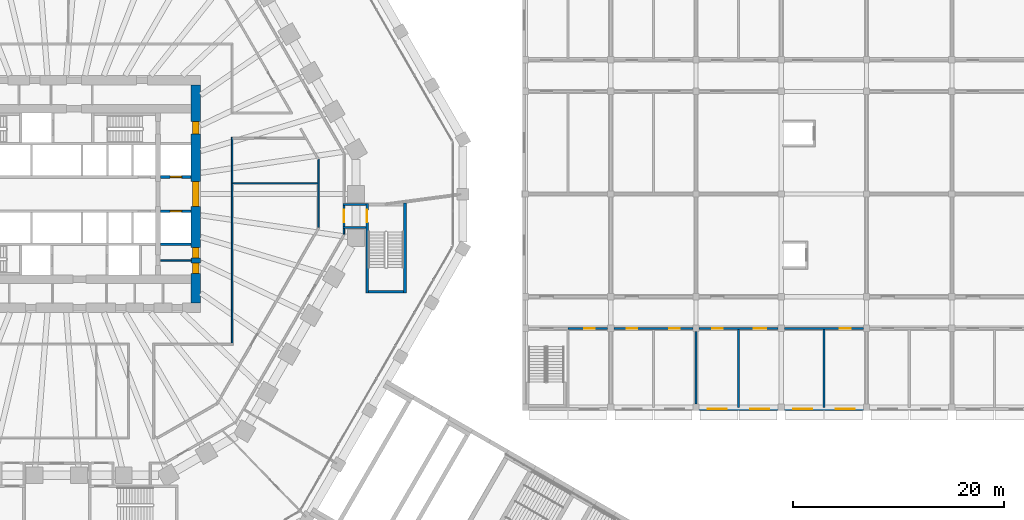
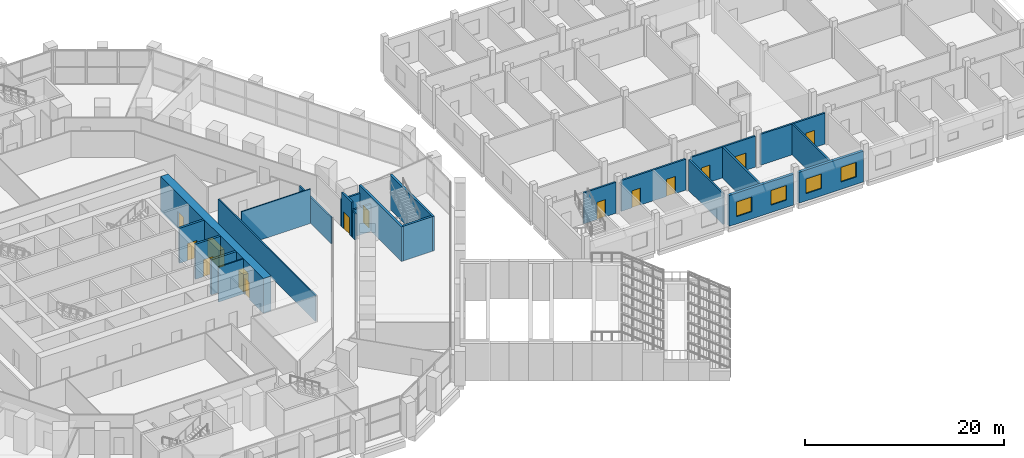
# One storey, part 23 of 38: 24 walls, 14 doors, 4 windows, 18 openings.
"""IFC4 building model written with IfcOpenShell, lengths in metres."""

from ifc_helpers import new_model, si_unit, direction, frame, frame_2d, origin, place, context, subcontext, project, spatial, rectangle, extrude, material, layer, layer_set, type_object, element, fill, save


model = new_model("IFC4")

# Units and contexts
model_context = context("Model", 3, precision=1e-05, world=origin(), true_north=direction((0.0, 1.0)))
body_context = subcontext(model_context, "Body", "Model", "MODEL_VIEW")
ifc_project = project(units=[si_unit("LENGTHUNIT", "METRE"), si_unit("AREAUNIT", "SQUARE_METRE"), si_unit("VOLUMEUNIT", "CUBIC_METRE"), si_unit("PLANEANGLEUNIT", "RADIAN"), si_unit("MASSUNIT", "GRAM", prefix="KILO")], contexts=[model_context])

# Site, building, storey
site_placement = place(None, origin())
site = spatial("IfcSite", under=ifc_project, at=site_placement, CompositionType="ELEMENT")
building_placement = place(site_placement, origin())
building = spatial("IfcBuilding", under=site, at=building_placement, Name="Frailejon Research Tower", CompositionType="ELEMENT")
storey_placement = place(building_placement, frame((0.0, 0.0, 5.60009765625)))
storey = spatial("IfcBuildingStorey", under=building, at=storey_placement, Name="L01", CompositionType="ELEMENT", Elevation=5.60009765625)

# Wall
ifc_material_1 = material(Name="Plasterboard on steel studs", Category="steel")
ifc_layer_1 = layer(ifc_material_1, 0.125)
ifc_layer_set_1 = layer_set([ifc_layer_1], Name="Core partition 125")
wall_type_1 = type_object("IfcWallType", Name="Core partition 125", PredefinedType="PARTITIONING", material=ifc_layer_set_1)
wall_1_placement = place(storey_placement, frame((9.85009765625, -6.300048828125, 0.0), z_axis=(0.0, 0.0, 1.0), x_axis=(1.0, 0.0, 0.0)))
element("IfcWall", 1, at=wall_1_placement, inside=storey, type_object=wall_type_1, Name="Core partition", PredefinedType="PARTITIONING", context=body_context, shape_type="SweptSolid", body=[
    extrude(rectangle(XDim=2.89990234375, YDim=0.125, at=frame_2d((1.449951171875, 0.0))), origin(), (0.0, 0.0, 1.0), 4.2998046875),
])

# Wall, openings, doors
ifc_material_2 = material(Name="Concrete C70/85", Category="concrete")
ifc_layer_2 = layer(ifc_material_2, 0.89990234375)
ifc_layer_set_2 = layer_set([ifc_layer_2], Name="Core shear wall 900 C70/85")
wall_type_2 = type_object("IfcWallType", Name="Core shear wall 900 C70/85", PredefinedType="SHEAR", material=ifc_layer_set_2)
wall_2_placement = place(storey_placement, frame((13.199951171875, -10.35009765625, 0.0), z_axis=(0.0, 0.0, 1.0), x_axis=(0.0, 1.0, 0.0)))
wall_2 = element("IfcWall", 2, at=wall_2_placement, inside=storey, type_object=wall_type_2, Name="Core shear wall", PredefinedType="SHEAR", context=body_context, shape_type="SweptSolid", body=[
    extrude(rectangle(XDim=20.7001953125, YDim=0.89990234375, at=frame_2d((10.35009765625, 0.0))), origin(), (0.0, 0.0, 1.0), 4.2998046875),
])
opening_1_placement = place(wall_2_placement, frame((9.14990234375, 0.0, 0.0)))
opening_1 = element("IfcOpeningElement", 3, at=opening_1_placement, cuts=wall_2, Name="Opening D2", PredefinedType="OPENING", context=body_context, shape_type="SweptSolid", body=[
    extrude(rectangle(XDim=2.39990234375, YDim=2.10009765625, at=frame_2d((1.199951171875, 1.050048828125))), frame((0.0, 0.4599609375, 0.0), z_axis=(0.0, -1.0, 0.0), x_axis=(1.0, 0.0, 0.0)), (0.0, 0.0, 1.0), 0.919921875),
])
opening_2_placement = place(wall_2_placement, frame((16.050048828125, 0.0, 0.0)))
opening_2 = element("IfcOpeningElement", 4, at=opening_2_placement, cuts=wall_2, Name="Opening D7", PredefinedType="OPENING", context=body_context, shape_type="SweptSolid", body=[
    extrude(rectangle(XDim=1.199951171875, YDim=2.10009765625, at=frame_2d((0.60009765625, 1.050048828125))), frame((0.0, 0.4599609375, 0.0), z_axis=(0.0, -1.0, 0.0), x_axis=(1.0, 0.0, 0.0)), (0.0, 0.0, 1.0), 0.919921875),
])
opening_3_placement = place(wall_2_placement, frame((2.81884765625, 0.0, 0.0)))
opening_3 = element("IfcOpeningElement", 5, at=opening_3_placement, cuts=wall_2, Name="Opening D4", PredefinedType="OPENING", context=body_context, shape_type="SweptSolid", body=[
    extrude(rectangle(XDim=1.0, YDim=2.10009765625, at=frame_2d((0.5, 1.050048828125))), frame((0.0, 0.4599609375, 0.0), z_axis=(0.0, -1.0, 0.0), x_axis=(1.0, 0.0, 0.0)), (0.0, 0.0, 1.0), 0.919921875),
])
opening_4_placement = place(wall_2_placement, frame((4.28125, 0.0, 0.0)))
opening_4 = element("IfcOpeningElement", 6, at=opening_4_placement, cuts=wall_2, Name="Opening D4", PredefinedType="OPENING", context=body_context, shape_type="SweptSolid", body=[
    extrude(rectangle(XDim=1.0, YDim=2.10009765625, at=frame_2d((0.5, 1.050048828125))), frame((0.0, 0.4599609375, 0.0), z_axis=(0.0, -1.0, 0.0), x_axis=(1.0, 0.0, 0.0)), (0.0, 0.0, 1.0), 0.919921875),
])
ifc_material_3 = material(Name="Steel", Category="steel")
door_type_1 = type_object("IfcDoorType", Name="Lobby double door", OperationType="DOUBLE_DOOR_SINGLE_SWING", PredefinedType="DOOR", material=ifc_material_3)
door_1_placement = place(opening_1_placement, origin())
door_1 = element("IfcDoor", 7, at=door_1_placement, inside=storey, type_object=door_type_1, Name="Lobby door", OperationType="DOUBLE_DOOR_SINGLE_SWING", OverallHeight=2.10009765625, OverallWidth=2.39990234375, PredefinedType="DOOR", context=body_context, shape_type="SweptSolid", body=[
    extrude(rectangle(XDim=2.39990234375, YDim=2.10009765625, at=frame_2d((1.199951171875, 1.050048828125))), frame((0.0, 0.300048828125, 0.0), z_axis=(0.0, -1.0, 0.0), x_axis=(1.0, 0.0, 0.0)), (0.0, 0.0, 1.0), 0.60009765625),
])
fill(opening_1, door_1)
ifc_material_4 = material(Name="Steel", Category="steel")
door_type_2 = type_object("IfcDoorType", Name="Service door", OperationType="SINGLE_SWING_LEFT", PredefinedType="DOOR", material=ifc_material_4)
door_2_placement = place(opening_3_placement, origin())
door_2 = element("IfcDoor", 8, at=door_2_placement, inside=storey, type_object=door_type_2, Name="Store door", OperationType="SINGLE_SWING_RIGHT", OverallHeight=2.10009765625, OverallWidth=1.0, PredefinedType="DOOR", context=body_context, shape_type="SweptSolid", body=[
    extrude(rectangle(XDim=1.0, YDim=2.10009765625, at=frame_2d((0.5, 1.050048828125))), frame((0.0, 0.300048828125, 0.0), z_axis=(0.0, -1.0, 0.0), x_axis=(1.0, 0.0, 0.0)), (0.0, 0.0, 1.0), 0.60009765625),
])
fill(opening_3, door_2)
door_3_placement = place(opening_4_placement, origin())
door_3 = element("IfcDoor", 9, at=door_3_placement, inside=storey, type_object=door_type_2, Name="Store door", OperationType="SINGLE_SWING_LEFT", OverallHeight=2.10009765625, OverallWidth=1.0, PredefinedType="DOOR", context=body_context, shape_type="SweptSolid", body=[
    extrude(rectangle(XDim=1.0, YDim=2.10009765625, at=frame_2d((0.5, 1.050048828125))), frame((0.0, 0.300048828125, 0.0), z_axis=(0.0, -1.0, 0.0), x_axis=(1.0, 0.0, 0.0)), (0.0, 0.0, 1.0), 0.60009765625),
])
fill(opening_4, door_3)
ifc_material_5 = material(Name="Steel", Category="steel")
door_type_3 = type_object("IfcDoorType", Name="Stair exit door", OperationType="SINGLE_SWING_LEFT", PredefinedType="DOOR", material=ifc_material_5)
door_4_placement = place(opening_2_placement, origin())
door_4 = element("IfcDoor", 10, at=door_4_placement, inside=storey, type_object=door_type_3, Name="Stair exit door ST3", OperationType="SINGLE_SWING_RIGHT", OverallHeight=2.10009765625, OverallWidth=1.199951171875, PredefinedType="DOOR", context=body_context, shape_type="SweptSolid", body=[
    extrude(rectangle(XDim=1.199951171875, YDim=2.10009765625, at=frame_2d((0.60009765625, 1.050048828125))), frame((0.0, 0.300048828125, 0.0), z_axis=(0.0, -1.0, 0.0), x_axis=(1.0, 0.0, 0.0)), (0.0, 0.0, 1.0), 0.60009765625),
])
fill(opening_2, door_4)

# Walls
ifc_material_6 = material(Name="Gypsum board and masonry partition", Category="masonry")
ifc_layer_3 = layer(ifc_material_6, 0.14990234375)
ifc_layer_set_3 = layer_set([ifc_layer_3], Name="Corridor wall EI 60, gypsum on steel studs 150")
wall_type_3 = type_object("IfcWallType", Name="Corridor wall EI 60, gypsum on steel studs 150", PredefinedType="PARTITIONING", material=ifc_layer_set_3)
wall_3_placement = place(storey_placement, frame((24.86279296875, -3.161376953125, 0.0), z_axis=(0.0, 0.0, 1.0), x_axis=(0.0, 1.0, 0.0)))
element("IfcWall", 11, at=wall_3_placement, inside=storey, type_object=wall_type_3, Name="T:IW:L01:005", PredefinedType="PARTITIONING", context=body_context, shape_type="SweptSolid", body=[
    extrude(rectangle(XDim=6.47265625, YDim=0.14990234375, at=frame_2d((3.236328125, 0.0))), origin(), (0.0, 0.0, 1.0), 3.199951171875),
])
wall_4_placement = place(storey_placement, frame((27.2626953125, -3.804443359375, 0.0), z_axis=(0.0, 0.0, 1.0), x_axis=(0.0, 1.0, 0.0)))
element("IfcWall", 12, at=wall_4_placement, inside=storey, type_object=wall_type_3, Name="T:IW:L01:007", PredefinedType="PARTITIONING", context=body_context, shape_type="SweptSolid", body=[
    extrude(rectangle(XDim=0.5107421875, YDim=0.14990234375, at=frame_2d((0.25537109375, 0.0))), origin(), (0.0, 0.0, 1.0), 3.199951171875),
])
wall_5_placement = place(storey_placement, frame((16.64990234375, -14.175048828125, 0.0), z_axis=(0.0, 0.0, 1.0), x_axis=(0.0, 1.0, 0.0)))
element("IfcWall", 13, at=wall_5_placement, inside=storey, type_object=wall_type_3, Name="T:IW:L01:042", PredefinedType="PARTITIONING", context=body_context, shape_type="SweptSolid", body=[
    extrude(rectangle(XDim=19.550048828125, YDim=0.14990234375, at=frame_2d((9.77490234375, 0.0))), origin(), (0.0, 0.0, 1.0), 3.199951171875),
])

# Wall, opening, door
ifc_material_7 = material(Name="Gypsum board and masonry partition", Category="masonry")
ifc_layer_4 = layer(ifc_material_7, 0.199951171875)
ifc_layer_set_4 = layer_set([ifc_layer_4], Name="Enclosure wall EI 120, blockwork 200")
wall_type_4 = type_object("IfcWallType", Name="Enclosure wall EI 120, blockwork 200", PredefinedType="PARTITIONING", material=ifc_layer_set_4)
wall_6_placement = place(storey_placement, frame((27.2626953125, -3.09375, 0.0), z_axis=(0.0, 0.0, 1.0), x_axis=(0.0, 1.0, 0.0)))
wall_6 = element("IfcWall", 14, at=wall_6_placement, inside=storey, type_object=wall_type_4, Name="T:IW:L01:060", PredefinedType="PARTITIONING", context=body_context, shape_type="SweptSolid", body=[
    extrude(rectangle(XDim=2.0, YDim=0.199951171875, at=frame_2d((1.0, 0.0))), origin(), (0.0, 0.0, 1.0), 4.25),
])
opening_5_placement = place(wall_6_placement, frame((1.599853515625, 0.0, 0.0), z_axis=(0.0, 0.0, 1.0), x_axis=(-1.0, 0.0, 0.0)))
opening_5 = element("IfcOpeningElement", 15, at=opening_5_placement, cuts=wall_6, Name="Opening PSD24", PredefinedType="OPENING", context=body_context, shape_type="SweptSolid", body=[
    extrude(rectangle(XDim=1.199951171875, YDim=2.10009765625, at=frame_2d((0.60009765625, 1.050048828125))), frame((0.0, 0.10986328125, 0.0), z_axis=(0.0, -1.0, 0.0), x_axis=(1.0, 0.0, 0.0)), (0.0, 0.0, 1.0), 0.219970703125),
])
ifc_material_8 = material(Name="Steel door leaf", Category="steel")
door_type_4 = type_object("IfcDoorType", Name="Door exit passage, steel, fire rated 1200", OperationType="NOTDEFINED", PredefinedType="DOOR", material=ifc_material_8)
door_5_placement = place(opening_5_placement, origin())
door_5 = element("IfcDoor", 16, at=door_5_placement, inside=storey, type_object=door_type_4, Name="PSD24", OperationType="SINGLE_SWING_LEFT", OverallHeight=2.10009765625, OverallWidth=1.199951171875, PredefinedType="DOOR", context=body_context, shape_type="SweptSolid", body=[
    extrude(rectangle(XDim=1.199951171875, YDim=2.10009765625, at=frame_2d((0.60009765625, 1.050048828125))), frame((0.0, 0.02490234375, 0.0), z_axis=(0.0, -1.0, 0.0), x_axis=(1.0, 0.0, 0.0)), (0.0, 0.0, 1.0), 0.050048828125),
])
fill(opening_5, door_5)

# Walls
for number, where, z_axis, x_axis, name in (
    (17, (27.187744140625, -0.993896484375, 0.0), (0.0, 0.0, 1.0), (1.0, 0.0, 0.0), "T:IW:L01:061"),
    (18, (27.187744140625, -3.19384765625, 0.0), (0.0, 0.0, 1.0), (1.0, 0.0, 0.0), "T:IW:L01:066"),
):
    element("IfcWall", number, at=place(storey_placement, frame(where, z_axis=z_axis, x_axis=x_axis)), inside=storey, type_object=wall_type_4, Name=name, PredefinedType="PARTITIONING", context=body_context, shape_type="SweptSolid", body=[
        extrude(rectangle(XDim=2.150146484375, YDim=0.199951171875, at=frame_2d((1.0751953125, 0.0))), origin(), (0.0, 0.0, 1.0), 3.349853515625),
    ])

# Wall, openings, windows
ifc_material_9 = material(Name="Insulated masonry cavity wall", Category="masonry")
ifc_layer_5 = layer(ifc_material_9, 0.300048828125)
ifc_layer_set_5 = layer_set([ifc_layer_5], Name="HC facade wall 300")
wall_type_5 = type_object("IfcWallType", Name="HC facade wall 300", PredefinedType="SOLIDWALL", material=ifc_layer_set_5)
wall_7_placement = place(storey_placement, frame((61.0, -20.39990234375, 0.0), z_axis=(0.0, 0.0, 1.0), x_axis=(1.0, 0.0, 0.0)))
wall_7 = element("IfcWall", 19, at=wall_7_placement, inside=storey, type_object=wall_type_5, Name="HC facade wall", PredefinedType="SOLIDWALL", context=body_context, shape_type="SweptSolid", body=[
    extrude(rectangle(XDim=7.5, YDim=0.300048828125, at=frame_2d((3.75, 0.0))), origin(), (0.0, 0.0, 1.0), 3.7998046875),
])
opening_6_placement = place(wall_7_placement, frame((0.824951171875, 0.0, 0.89990234375)))
opening_6 = element("IfcOpeningElement", 20, at=opening_6_placement, cuts=wall_7, Name="Opening HW104", PredefinedType="OPENING", context=body_context, shape_type="SweptSolid", body=[
    extrude(rectangle(XDim=1.800048828125, YDim=1.800048828125, at=frame_2d((0.89990234375, 0.89990234375))), frame((0.0, 0.159912109375, 0.0), z_axis=(0.0, -1.0, 0.0), x_axis=(1.0, 0.0, 0.0)), (0.0, 0.0, 1.0), 0.320068359375),
])
opening_7_placement = place(wall_7_placement, frame((4.875, 0.0, 0.89990234375)))
opening_7 = element("IfcOpeningElement", 21, at=opening_7_placement, cuts=wall_7, Name="Opening HW105", PredefinedType="OPENING", context=body_context, shape_type="SweptSolid", body=[
    extrude(rectangle(XDim=1.800048828125, YDim=1.800048828125, at=frame_2d((0.89990234375, 0.89990234375))), frame((0.0, 0.159912109375, 0.0), z_axis=(0.0, -1.0, 0.0), x_axis=(1.0, 0.0, 0.0)), (0.0, 0.0, 1.0), 0.320068359375),
])
ifc_material_10 = material(Name="Aluminium framed double glazing", Category="aluminium")
window_type = type_object("IfcWindowType", Name="HC window 1800x1800", PartitioningType="SINGLE_PANEL", PredefinedType="WINDOW", material=ifc_material_10)
window_1_placement = place(opening_6_placement, origin())
window_1 = element("IfcWindow", 22, at=window_1_placement, inside=storey, type_object=window_type, Name="Window HW104 (HCW1)", OverallHeight=1.800048828125, OverallWidth=1.800048828125, PartitioningType="SINGLE_PANEL", PredefinedType="WINDOW", context=body_context, shape_type="SweptSolid", body=[
    extrude(rectangle(XDim=1.800048828125, YDim=1.800048828125, at=frame_2d((0.89990234375, 0.89990234375))), frame((0.0, 0.030029296875, 0.0), z_axis=(0.0, -1.0, 0.0), x_axis=(1.0, 0.0, 0.0)), (0.0, 0.0, 1.0), 0.06005859375),
])
fill(opening_6, window_1)
window_2_placement = place(opening_7_placement, origin())
window_2 = element("IfcWindow", 23, at=window_2_placement, inside=storey, type_object=window_type, Name="Window HW105 (HCW1)", OverallHeight=1.800048828125, OverallWidth=1.800048828125, PartitioningType="SINGLE_PANEL", PredefinedType="WINDOW", context=body_context, shape_type="SweptSolid", body=[
    extrude(rectangle(XDim=1.800048828125, YDim=1.800048828125, at=frame_2d((0.89990234375, 0.89990234375))), frame((0.0, 0.030029296875, 0.0), z_axis=(0.0, -1.0, 0.0), x_axis=(1.0, 0.0, 0.0)), (0.0, 0.0, 1.0), 0.06005859375),
])
fill(opening_7, window_2)

wall_8_placement = place(storey_placement, frame((69.10009765625, -20.39990234375, 0.0), z_axis=(0.0, 0.0, 1.0), x_axis=(1.0, 0.0, 0.0)))
wall_8 = element("IfcWall", 24, at=wall_8_placement, inside=storey, type_object=wall_type_5, Name="HC facade wall", PredefinedType="SOLIDWALL", context=body_context, shape_type="SweptSolid", body=[
    extrude(rectangle(XDim=7.5, YDim=0.300048828125, at=frame_2d((3.75, 0.0))), origin(), (0.0, 0.0, 1.0), 3.7998046875),
])
opening_8_placement = place(wall_8_placement, frame((0.824951171875, 0.0, 0.89990234375)))
opening_8 = element("IfcOpeningElement", 25, at=opening_8_placement, cuts=wall_8, Name="Opening HW106", PredefinedType="OPENING", context=body_context, shape_type="SweptSolid", body=[
    extrude(rectangle(XDim=1.800048828125, YDim=1.800048828125, at=frame_2d((0.89990234375, 0.89990234375))), frame((0.0, 0.159912109375, 0.0), z_axis=(0.0, -1.0, 0.0), x_axis=(1.0, 0.0, 0.0)), (0.0, 0.0, 1.0), 0.320068359375),
])
opening_9_placement = place(wall_8_placement, frame((4.875, 0.0, 0.89990234375)))
opening_9 = element("IfcOpeningElement", 26, at=opening_9_placement, cuts=wall_8, Name="Opening HW107", PredefinedType="OPENING", context=body_context, shape_type="SweptSolid", body=[
    extrude(rectangle(XDim=1.800048828125, YDim=1.800048828125, at=frame_2d((0.89990234375, 0.89990234375))), frame((0.0, 0.159912109375, 0.0), z_axis=(0.0, -1.0, 0.0), x_axis=(1.0, 0.0, 0.0)), (0.0, 0.0, 1.0), 0.320068359375),
])
window_3_placement = place(opening_8_placement, origin())
window_3 = element("IfcWindow", 27, at=window_3_placement, inside=storey, type_object=window_type, Name="Window HW106 (HCW1)", OverallHeight=1.800048828125, OverallWidth=1.800048828125, PartitioningType="SINGLE_PANEL", PredefinedType="WINDOW", context=body_context, shape_type="SweptSolid", body=[
    extrude(rectangle(XDim=1.800048828125, YDim=1.800048828125, at=frame_2d((0.89990234375, 0.89990234375))), frame((0.0, 0.030029296875, 0.0), z_axis=(0.0, -1.0, 0.0), x_axis=(1.0, 0.0, 0.0)), (0.0, 0.0, 1.0), 0.06005859375),
])
fill(opening_8, window_3)
window_4_placement = place(opening_9_placement, origin())
window_4 = element("IfcWindow", 28, at=window_4_placement, inside=storey, type_object=window_type, Name="Window HW107 (HCW1)", OverallHeight=1.800048828125, OverallWidth=1.800048828125, PartitioningType="SINGLE_PANEL", PredefinedType="WINDOW", context=body_context, shape_type="SweptSolid", body=[
    extrude(rectangle(XDim=1.800048828125, YDim=1.800048828125, at=frame_2d((0.89990234375, 0.89990234375))), frame((0.0, 0.030029296875, 0.0), z_axis=(0.0, -1.0, 0.0), x_axis=(1.0, 0.0, 0.0)), (0.0, 0.0, 1.0), 0.06005859375),
])
fill(opening_9, window_4)

# Wall, opening, door
ifc_material_11 = material(Name="Masonry blockwork partition", Category="masonry")
ifc_layer_6 = layer(ifc_material_11, 0.199951171875)
ifc_layer_set_6 = layer_set([ifc_layer_6], Name="HC partition 200")
wall_type_6 = type_object("IfcWallType", Name="HC partition 200", PredefinedType="PARTITIONING", material=ifc_layer_set_6)
wall_9_placement = place(storey_placement, frame((48.550048828125, -12.75, 0.0), z_axis=(0.0, 0.0, 1.0), x_axis=(1.0, 0.0, 0.0)))
wall_9 = element("IfcWall", 29, at=wall_9_placement, inside=storey, type_object=wall_type_6, Name="HC partition", PredefinedType="PARTITIONING", context=body_context, shape_type="SweptSolid", body=[
    extrude(rectangle(XDim=3.75, YDim=0.199951171875, at=frame_2d((1.875, 0.0))), origin(), (0.0, 0.0, 1.0), 3.7998046875),
])
opening_10_placement = place(wall_9_placement, frame((1.52490234375, 0.0, 0.0)))
opening_10 = element("IfcOpeningElement", 30, at=opening_10_placement, cuts=wall_9, Name="Opening HD104", PredefinedType="OPENING", context=body_context, shape_type="SweptSolid", body=[
    extrude(rectangle(XDim=1.0, YDim=2.10009765625, at=frame_2d((0.5, 1.050048828125))), frame((0.0, 0.10986328125, 0.0), z_axis=(0.0, -1.0, 0.0), x_axis=(1.0, 0.0, 0.0)), (0.0, 0.0, 1.0), 0.219970703125),
])
ifc_material_12 = material(Name="Timber veneered fire door leaf", Category="wood")
door_type_5 = type_object("IfcDoorType", Name="HC door 1000 left", OperationType="SINGLE_SWING_LEFT", PredefinedType="DOOR", material=ifc_material_12)
door_6_placement = place(opening_10_placement, origin())
door_6 = element("IfcDoor", 31, at=door_6_placement, inside=storey, type_object=door_type_5, Name="Door HD104", OperationType="SINGLE_SWING_LEFT", OverallHeight=2.10009765625, OverallWidth=1.0, PredefinedType="DOOR", context=body_context, shape_type="SweptSolid", body=[
    extrude(rectangle(XDim=1.0, YDim=2.10009765625, at=frame_2d((0.5, 1.050048828125))), frame((0.0, 0.02490234375, 0.0), z_axis=(0.0, -1.0, 0.0), x_axis=(1.0, 0.0, 0.0)), (0.0, 0.0, 1.0), 0.050048828125),
])
fill(opening_10, door_6)

# Wall, openings, doors
wall_10_placement = place(storey_placement, frame((52.89990234375, -12.75, 0.0), z_axis=(0.0, 0.0, 1.0), x_axis=(1.0, 0.0, 0.0)))
wall_10 = element("IfcWall", 32, at=wall_10_placement, inside=storey, type_object=wall_type_6, Name="HC partition", PredefinedType="PARTITIONING", context=body_context, shape_type="SweptSolid", body=[
    extrude(rectangle(XDim=7.5, YDim=0.199951171875, at=frame_2d((3.75, 0.0))), origin(), (0.0, 0.0, 1.0), 3.7998046875),
])
opening_11_placement = place(wall_10_placement, frame((1.22509765625, 0.0, 0.0)))
opening_11 = element("IfcOpeningElement", 33, at=opening_11_placement, cuts=wall_10, Name="Opening HD105", PredefinedType="OPENING", context=body_context, shape_type="SweptSolid", body=[
    extrude(rectangle(XDim=1.0, YDim=2.10009765625, at=frame_2d((0.5, 1.050048828125))), frame((0.0, 0.10986328125, 0.0), z_axis=(0.0, -1.0, 0.0), x_axis=(1.0, 0.0, 0.0)), (0.0, 0.0, 1.0), 0.219970703125),
])
opening_12_placement = place(wall_10_placement, frame((5.27490234375, 0.0, 0.0)))
opening_12 = element("IfcOpeningElement", 34, at=opening_12_placement, cuts=wall_10, Name="Opening HD106", PredefinedType="OPENING", context=body_context, shape_type="SweptSolid", body=[
    extrude(rectangle(XDim=1.0, YDim=2.10009765625, at=frame_2d((0.5, 1.050048828125))), frame((0.0, 0.10986328125, 0.0), z_axis=(0.0, -1.0, 0.0), x_axis=(1.0, 0.0, 0.0)), (0.0, 0.0, 1.0), 0.219970703125),
])
door_7_placement = place(opening_12_placement, origin())
door_7 = element("IfcDoor", 35, at=door_7_placement, inside=storey, type_object=door_type_5, Name="Door HD106", OperationType="SINGLE_SWING_LEFT", OverallHeight=2.10009765625, OverallWidth=1.0, PredefinedType="DOOR", context=body_context, shape_type="SweptSolid", body=[
    extrude(rectangle(XDim=1.0, YDim=2.10009765625, at=frame_2d((0.5, 1.050048828125))), frame((0.0, 0.02490234375, 0.0), z_axis=(0.0, -1.0, 0.0), x_axis=(1.0, 0.0, 0.0)), (0.0, 0.0, 1.0), 0.050048828125),
])
fill(opening_12, door_7)
ifc_material_13 = material(Name="Timber veneered fire door leaf", Category="wood")
door_type_6 = type_object("IfcDoorType", Name="HC door 1000 right", OperationType="SINGLE_SWING_RIGHT", PredefinedType="DOOR", material=ifc_material_13)
door_8_placement = place(opening_11_placement, origin())
door_8 = element("IfcDoor", 36, at=door_8_placement, inside=storey, type_object=door_type_6, Name="Door HD105", OperationType="SINGLE_SWING_RIGHT", OverallHeight=2.10009765625, OverallWidth=1.0, PredefinedType="DOOR", context=body_context, shape_type="SweptSolid", body=[
    extrude(rectangle(XDim=1.0, YDim=2.10009765625, at=frame_2d((0.5, 1.050048828125))), frame((0.0, 0.02490234375, 0.0), z_axis=(0.0, -1.0, 0.0), x_axis=(1.0, 0.0, 0.0)), (0.0, 0.0, 1.0), 0.050048828125),
])
fill(opening_11, door_8)

wall_11_placement = place(storey_placement, frame((61.0, -12.75, 0.0), z_axis=(0.0, 0.0, 1.0), x_axis=(1.0, 0.0, 0.0)))
wall_11 = element("IfcWall", 37, at=wall_11_placement, inside=storey, type_object=wall_type_6, Name="HC partition", PredefinedType="PARTITIONING", context=body_context, shape_type="SweptSolid", body=[
    extrude(rectangle(XDim=7.5, YDim=0.199951171875, at=frame_2d((3.75, 0.0))), origin(), (0.0, 0.0, 1.0), 3.7998046875),
])
opening_13_placement = place(wall_11_placement, frame((1.22509765625, 0.0, 0.0)))
opening_13 = element("IfcOpeningElement", 38, at=opening_13_placement, cuts=wall_11, Name="Opening HD107", PredefinedType="OPENING", context=body_context, shape_type="SweptSolid", body=[
    extrude(rectangle(XDim=1.0, YDim=2.10009765625, at=frame_2d((0.5, 1.050048828125))), frame((0.0, 0.10986328125, 0.0), z_axis=(0.0, -1.0, 0.0), x_axis=(1.0, 0.0, 0.0)), (0.0, 0.0, 1.0), 0.219970703125),
])
opening_14_placement = place(wall_11_placement, frame((5.175048828125, 0.0, 0.0)))
opening_14 = element("IfcOpeningElement", 39, at=opening_14_placement, cuts=wall_11, Name="Opening HD108", PredefinedType="OPENING", context=body_context, shape_type="SweptSolid", body=[
    extrude(rectangle(XDim=1.199951171875, YDim=2.10009765625, at=frame_2d((0.60009765625, 1.050048828125))), frame((0.0, 0.10986328125, 0.0), z_axis=(0.0, -1.0, 0.0), x_axis=(1.0, 0.0, 0.0)), (0.0, 0.0, 1.0), 0.219970703125),
])
door_9_placement = place(opening_13_placement, origin())
door_9 = element("IfcDoor", 40, at=door_9_placement, inside=storey, type_object=door_type_6, Name="Door HD107", OperationType="SINGLE_SWING_RIGHT", OverallHeight=2.10009765625, OverallWidth=1.0, PredefinedType="DOOR", context=body_context, shape_type="SweptSolid", body=[
    extrude(rectangle(XDim=1.0, YDim=2.10009765625, at=frame_2d((0.5, 1.050048828125))), frame((0.0, 0.02490234375, 0.0), z_axis=(0.0, -1.0, 0.0), x_axis=(1.0, 0.0, 0.0)), (0.0, 0.0, 1.0), 0.050048828125),
])
fill(opening_13, door_9)
ifc_material_14 = material(Name="Timber veneered fire door leaf", Category="wood")
door_type_7 = type_object("IfcDoorType", Name="HC door 1200 left", OperationType="SINGLE_SWING_LEFT", PredefinedType="DOOR", material=ifc_material_14)
door_10_placement = place(opening_14_placement, origin())
door_10 = element("IfcDoor", 41, at=door_10_placement, inside=storey, type_object=door_type_7, Name="Door HD108", OperationType="SINGLE_SWING_LEFT", OverallHeight=2.10009765625, OverallWidth=1.199951171875, PredefinedType="DOOR", context=body_context, shape_type="SweptSolid", body=[
    extrude(rectangle(XDim=1.199951171875, YDim=2.10009765625, at=frame_2d((0.60009765625, 1.050048828125))), frame((0.0, 0.02490234375, 0.0), z_axis=(0.0, -1.0, 0.0), x_axis=(1.0, 0.0, 0.0)), (0.0, 0.0, 1.0), 0.050048828125),
])
fill(opening_14, door_10)

# Wall, opening, door
wall_12_placement = place(storey_placement, frame((69.10009765625, -12.75, 0.0), z_axis=(0.0, 0.0, 1.0), x_axis=(1.0, 0.0, 0.0)))
wall_12 = element("IfcWall", 42, at=wall_12_placement, inside=storey, type_object=wall_type_6, Name="HC partition", PredefinedType="PARTITIONING", context=body_context, shape_type="SweptSolid", body=[
    extrude(rectangle(XDim=7.5, YDim=0.199951171875, at=frame_2d((3.75, 0.0))), origin(), (0.0, 0.0, 1.0), 3.7998046875),
])
opening_15_placement = place(wall_12_placement, frame((5.27490234375, 0.0, 0.0)))
opening_15 = element("IfcOpeningElement", 43, at=opening_15_placement, cuts=wall_12, Name="Opening HD109", PredefinedType="OPENING", context=body_context, shape_type="SweptSolid", body=[
    extrude(rectangle(XDim=1.0, YDim=2.10009765625, at=frame_2d((0.5, 1.050048828125))), frame((0.0, 0.10986328125, 0.0), z_axis=(0.0, -1.0, 0.0), x_axis=(1.0, 0.0, 0.0)), (0.0, 0.0, 1.0), 0.219970703125),
])
door_11_placement = place(opening_15_placement, origin())
door_11 = element("IfcDoor", 44, at=door_11_placement, inside=storey, type_object=door_type_6, Name="Door HD109", OperationType="SINGLE_SWING_RIGHT", OverallHeight=2.10009765625, OverallWidth=1.0, PredefinedType="DOOR", context=body_context, shape_type="SweptSolid", body=[
    extrude(rectangle(XDim=1.0, YDim=2.10009765625, at=frame_2d((0.5, 1.050048828125))), frame((0.0, 0.02490234375, 0.0), z_axis=(0.0, -1.0, 0.0), x_axis=(1.0, 0.0, 0.0)), (0.0, 0.0, 1.0), 0.050048828125),
])
fill(opening_15, door_11)

# Walls
wall_13_placement = place(storey_placement, frame((60.699951171875, -19.949951171875, 0.0), z_axis=(0.0, 0.0, 1.0), x_axis=(0.0, 1.0, 0.0)))
element("IfcWall", 45, at=wall_13_placement, inside=storey, type_object=wall_type_6, Name="HC partition", PredefinedType="PARTITIONING", context=body_context, shape_type="SweptSolid", body=[
    extrude(rectangle(XDim=6.89990234375, YDim=0.199951171875, at=frame_2d((3.449951171875, 0.0))), origin(), (0.0, 0.0, 1.0), 3.7998046875),
])
for number, where, z_axis, x_axis, name in (
    (46, (64.75, -20.25, 0.0), (0.0, 0.0, 1.0), (0.0, 1.0, 0.0), "HC partition"),
    (47, (72.85009765625, -20.25, 0.0), (0.0, 0.0, 1.0), (0.0, 1.0, 0.0), "HC partition"),
):
    element("IfcWall", number, at=place(storey_placement, frame(where, z_axis=z_axis, x_axis=x_axis)), inside=storey, type_object=wall_type_6, Name=name, PredefinedType="PARTITIONING", context=body_context, shape_type="SweptSolid", body=[
        extrude(rectangle(XDim=7.39990234375, YDim=0.199951171875, at=frame_2d((3.699951171875, 0.0))), origin(), (0.0, 0.0, 1.0), 3.7998046875),
    ])
ifc_material_15 = material(Name="Gypsum board and masonry partition", Category="masonry")
ifc_layer_7 = layer(ifc_material_15, 0.10009765625)
ifc_layer_set_7 = layer_set([ifc_layer_7], Name="Partition, gypsum on steel studs 100")
wall_type_7 = type_object("IfcWallType", Name="Partition, gypsum on steel studs 100", PredefinedType="PARTITIONING", material=ifc_layer_set_7)
wall_14_placement = place(storey_placement, frame((16.72509765625, 1.027099609375, 0.0), z_axis=(0.0, 0.0, 1.0), x_axis=(1.0, 0.0, 0.0)))
element("IfcWall", 48, at=wall_14_placement, inside=storey, type_object=wall_type_7, Name="T:IW:L01:067", PredefinedType="PARTITIONING", context=body_context, shape_type="SweptSolid", body=[
    extrude(rectangle(XDim=8.062744140625, YDim=0.10009765625, at=frame_2d((4.03125, 0.0))), origin(), (0.0, 0.0, 1.0), 4.25),
])

# Wall, opening, door
ifc_material_16 = material(Name="Concrete C70/85", Category="concrete")
ifc_layer_8 = layer(ifc_material_16, 0.25)
ifc_layer_set_8 = layer_set([ifc_layer_8], Name="Shaft wall 250 C70/85")
wall_type_8 = type_object("IfcWallType", Name="Shaft wall 250 C70/85", PredefinedType="SOLIDWALL", material=ifc_layer_set_8)
wall_15_placement = place(storey_placement, frame((9.85009765625, 1.625, 0.0), z_axis=(0.0, 0.0, 1.0), x_axis=(1.0, 0.0, 0.0)))
wall_15 = element("IfcWall", 49, at=wall_15_placement, inside=storey, type_object=wall_type_8, Name="Shaft wall", PredefinedType="SOLIDWALL", context=body_context, shape_type="SweptSolid", body=[
    extrude(rectangle(XDim=2.89990234375, YDim=0.25, at=frame_2d((1.449951171875, 0.0))), origin(), (0.0, 0.0, 1.0), 4.2998046875),
])
opening_16_placement = place(wall_15_placement, frame((0.89990234375, 0.0, 0.0)))
opening_16 = element("IfcOpeningElement", 50, at=opening_16_placement, cuts=wall_15, Name="Opening LD", PredefinedType="OPENING", context=body_context, shape_type="SweptSolid", body=[
    extrude(rectangle(XDim=1.10009765625, YDim=2.10009765625, at=frame_2d((0.550048828125, 1.050048828125))), frame((0.0, 0.135009765625, 0.0), z_axis=(0.0, -1.0, 0.0), x_axis=(1.0, 0.0, 0.0)), (0.0, 0.0, 1.0), 0.27001953125),
])
ifc_material_17 = material(Name="Steel", Category="steel")
door_type_8 = type_object("IfcDoorType", Name="Lift landing door", OperationType="DOUBLE_DOOR_SLIDING", PredefinedType="DOOR", material=ifc_material_17)
door_12_placement = place(opening_16_placement, origin())
door_12 = element("IfcDoor", 51, at=door_12_placement, inside=storey, type_object=door_type_8, Name="Lift landing door", OperationType="DOUBLE_DOOR_SLIDING", OverallHeight=2.10009765625, OverallWidth=1.10009765625, PredefinedType="DOOR", context=body_context, shape_type="SweptSolid", body=[
    extrude(rectangle(XDim=1.10009765625, YDim=2.10009765625, at=frame_2d((0.550048828125, 1.050048828125))), frame((0.0, 0.074951171875, 0.0), z_axis=(0.0, -1.0, 0.0), x_axis=(1.0, 0.0, 0.0)), (0.0, 0.0, 1.0), 0.14990234375),
])
fill(opening_16, door_12)

wall_16_placement = place(storey_placement, frame((9.85009765625, -1.625, 0.0), z_axis=(0.0, 0.0, 1.0), x_axis=(1.0, 0.0, 0.0)))
wall_16 = element("IfcWall", 52, at=wall_16_placement, inside=storey, type_object=wall_type_8, Name="Shaft wall", PredefinedType="SOLIDWALL", context=body_context, shape_type="SweptSolid", body=[
    extrude(rectangle(XDim=2.89990234375, YDim=0.25, at=frame_2d((1.449951171875, 0.0))), origin(), (0.0, 0.0, 1.0), 4.2998046875),
])
opening_17_placement = place(wall_16_placement, frame((0.89990234375, 0.0, 0.0)))
opening_17 = element("IfcOpeningElement", 53, at=opening_17_placement, cuts=wall_16, Name="Opening LD", PredefinedType="OPENING", context=body_context, shape_type="SweptSolid", body=[
    extrude(rectangle(XDim=1.10009765625, YDim=2.10009765625, at=frame_2d((0.550048828125, 1.050048828125))), frame((0.0, 0.135009765625, 0.0), z_axis=(0.0, -1.0, 0.0), x_axis=(1.0, 0.0, 0.0)), (0.0, 0.0, 1.0), 0.27001953125),
])
door_13_placement = place(opening_17_placement, origin())
door_13 = element("IfcDoor", 54, at=door_13_placement, inside=storey, type_object=door_type_8, Name="Lift landing door", OperationType="DOUBLE_DOOR_SLIDING", OverallHeight=2.10009765625, OverallWidth=1.10009765625, PredefinedType="DOOR", context=body_context, shape_type="SweptSolid", body=[
    extrude(rectangle(XDim=1.10009765625, YDim=2.10009765625, at=frame_2d((0.550048828125, 1.050048828125))), frame((0.0, 0.074951171875, 0.0), z_axis=(0.0, -1.0, 0.0), x_axis=(1.0, 0.0, 0.0)), (0.0, 0.0, 1.0), 0.14990234375),
])
fill(opening_17, door_13)

# Walls
wall_17_placement = place(storey_placement, frame((9.85009765625, -4.77490234375, 0.0), z_axis=(0.0, 0.0, 1.0), x_axis=(1.0, 0.0, 0.0)))
element("IfcWall", 55, at=wall_17_placement, inside=storey, type_object=wall_type_8, Name="Shaft wall", PredefinedType="SOLIDWALL", context=body_context, shape_type="SweptSolid", body=[
    extrude(rectangle(XDim=2.89990234375, YDim=0.25, at=frame_2d((1.449951171875, 0.0))), origin(), (0.0, 0.0, 1.0), 4.2998046875),
])
ifc_material_18 = material(Name="Concrete C50/60", Category="concrete")
ifc_layer_9 = layer(ifc_material_18, 0.25)
ifc_layer_set_9 = layer_set([ifc_layer_9], Name="Stair enclosure wall EI 120, Concrete C50/60 250")
wall_type_9 = type_object("IfcWallType", Name="Stair enclosure wall EI 120, Concrete C50/60 250", PredefinedType="SOLIDWALL", material=ifc_layer_set_9)
wall_18_placement = place(storey_placement, frame((33.062744140625, -9.388916015625, 0.0), z_axis=(0.0, 0.0, 1.0), x_axis=(0.0, 1.0, 0.0)))
element("IfcWall", 56, at=wall_18_placement, inside=storey, type_object=wall_type_9, Name="T:IW:L01:104", PredefinedType="SOLIDWALL", context=body_context, shape_type="SweptSolid", body=[
    extrude(rectangle(XDim=8.52001953125, YDim=0.25, at=frame_2d((4.260009765625, 0.0))), origin(), (0.0, 0.0, 1.0), 4.25),
])
wall_19_placement = place(storey_placement, frame((29.587890625, -9.263916015625, 0.0), z_axis=(0.0, 0.0, 1.0), x_axis=(1.0, 0.0, 0.0)))
element("IfcWall", 57, at=wall_19_placement, inside=storey, type_object=wall_type_9, Name="T:IW:L01:105", PredefinedType="SOLIDWALL", context=body_context, shape_type="SweptSolid", body=[
    extrude(rectangle(XDim=3.349853515625, YDim=0.25, at=frame_2d((1.6748046875, 0.0))), origin(), (0.0, 0.0, 1.0), 4.25),
])

# Wall, opening, door
wall_20_placement = place(storey_placement, frame((29.462890625, -9.388916015625, 0.0), z_axis=(0.0, 0.0, 1.0), x_axis=(0.0, 1.0, 0.0)))
wall_20 = element("IfcWall", 58, at=wall_20_placement, inside=storey, type_object=wall_type_9, Name="T:IW:L01:106", PredefinedType="SOLIDWALL", context=body_context, shape_type="SweptSolid", body=[
    extrude(rectangle(XDim=8.4951171875, YDim=0.25, at=frame_2d((4.24755859375, 0.0))), origin(), (0.0, 0.0, 1.0), 4.25),
])
opening_18_placement = place(wall_20_placement, frame((7.89501953125, 0.0, 0.0), z_axis=(0.0, 0.0, 1.0), x_axis=(-1.0, 0.0, 0.0)))
opening_18 = element("IfcOpeningElement", 59, at=opening_18_placement, cuts=wall_20, Name="Opening PSD25", PredefinedType="OPENING", context=body_context, shape_type="SweptSolid", body=[
    extrude(rectangle(XDim=1.199951171875, YDim=2.10009765625, at=frame_2d((0.60009765625, 1.050048828125))), frame((0.0, 0.135009765625, 0.0), z_axis=(0.0, -1.0, 0.0), x_axis=(1.0, 0.0, 0.0)), (0.0, 0.0, 1.0), 0.27001953125),
])
door_14_placement = place(opening_18_placement, origin())
door_14 = element("IfcDoor", 60, at=door_14_placement, inside=storey, type_object=door_type_4, Name="PSD25", OperationType="SINGLE_SWING_RIGHT", OverallHeight=2.10009765625, OverallWidth=1.199951171875, PredefinedType="DOOR", context=body_context, shape_type="SweptSolid", body=[
    extrude(rectangle(XDim=1.199951171875, YDim=2.10009765625, at=frame_2d((0.60009765625, 1.050048828125))), frame((0.0, 0.02490234375, 0.0), z_axis=(0.0, -1.0, 0.0), x_axis=(1.0, 0.0, 0.0)), (0.0, 0.0, 1.0), 0.050048828125),
])
fill(opening_18, door_14)

save(model, "model.ifc")
